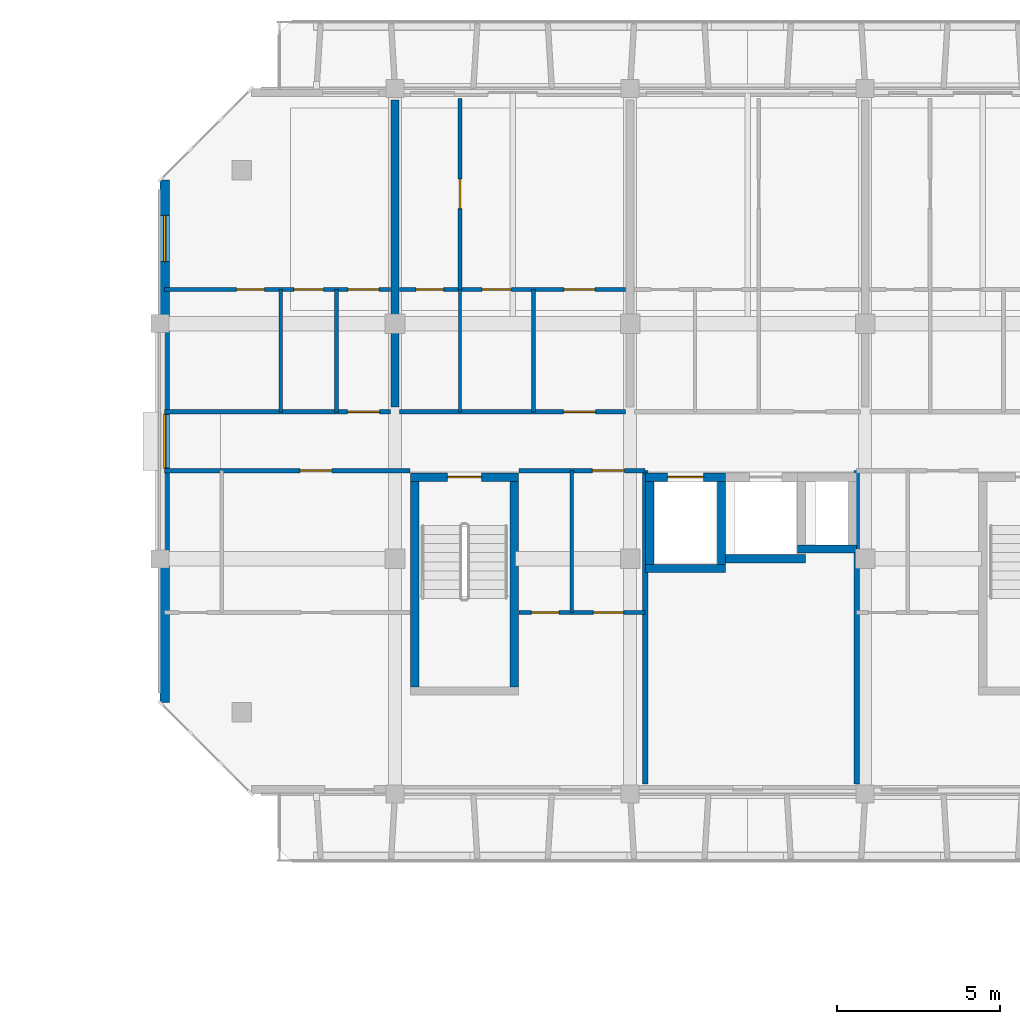
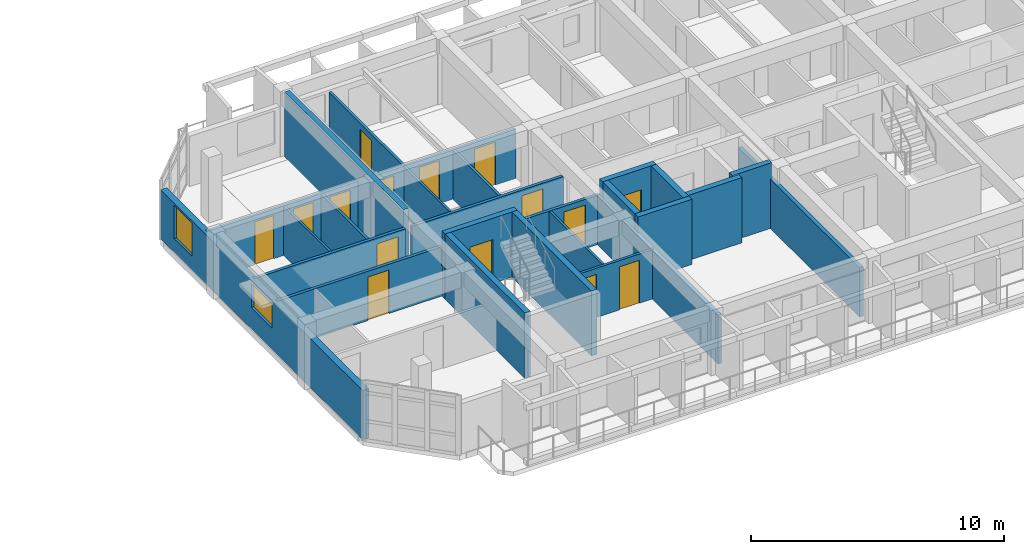
# One storey, part 25 of 43: 26 walls, 15 doors, 2 windows, 17 openings.
"""IFC4 building model written with IfcOpenShell, lengths in metres."""

from ifc_helpers import new_model, si_unit, direction, frame, frame_2d, origin, place, context, subcontext, project, spatial, rectangle, extrude, material, layer, layer_set, type_object, element, fill, save


model = new_model("IFC4")

# Units and contexts
model_context = context("Model", 3, precision=1e-05, world=origin(), true_north=direction((0.0, 1.0)))
body_context = subcontext(model_context, "Body", "Model", "MODEL_VIEW")
ifc_project = project(units=[si_unit("LENGTHUNIT", "METRE"), si_unit("AREAUNIT", "SQUARE_METRE"), si_unit("VOLUMEUNIT", "CUBIC_METRE"), si_unit("PLANEANGLEUNIT", "RADIAN"), si_unit("MASSUNIT", "GRAM", prefix="KILO")], contexts=[model_context])

# Site, building, storey
site_placement = place(None, origin())
site = spatial("IfcSite", under=ifc_project, at=site_placement, CompositionType="ELEMENT")
building_placement = place(site_placement, origin())
building = spatial("IfcBuilding", under=site, at=building_placement, Name="Ochrevale Crest", CompositionType="ELEMENT")
storey_placement = place(building_placement, frame((0.0, 0.0, 15.0)))
storey = spatial("IfcBuildingStorey", under=building, at=storey_placement, Name="L04", CompositionType="ELEMENT", Elevation=15.0)

# Wall, opening, door
ifc_material_1 = material(Name="Gypsum plasterboard", Category="gypsum")
ifc_layer_1 = layer(ifc_material_1, 0.139892578125)
ifc_layer_set_1 = layer_set([ifc_layer_1], Name="Gypsum plasterboard")
wall_type_1 = type_object("IfcWallType", Name="WL-COR-140", PredefinedType="PARTITIONING", material=ifc_layer_set_1)
wall_1_placement = place(storey_placement, frame((129.739990234375, 83.699951171875, 0.0), z_axis=(0.0, 0.0, 1.0), x_axis=(1.0, 0.0, 0.0)))
wall_1 = element("IfcWall", 1, at=wall_1_placement, inside=storey, type_object=wall_type_1, Name="Apartment D-L04-U1 corridor wall", PredefinedType="PARTITIONING", context=body_context, shape_type="SweptSolid", body=[
    extrude(rectangle(XDim=6.919921875, YDim=0.139892578125, at=frame_2d((3.4599609375, 0.0))), origin(), (0.0, 0.0, 1.0), 2.3798828125),
])
opening_1_placement = place(wall_1_placement, frame((5.60498046875, 0.0, 0.0)))
opening_1 = element("IfcOpeningElement", 2, at=opening_1_placement, cuts=wall_1, Name="Opening FD01", PredefinedType="OPENING", context=body_context, shape_type="SweptSolid", body=[
    extrude(rectangle(XDim=0.97998046875, YDim=2.10009765625, at=frame_2d((0.489990234375, 1.050048828125))), frame((0.0, 0.080078125, 0.0), z_axis=(0.0, -1.0, 0.0), x_axis=(1.0, 0.0, 0.0)), (0.0, 0.0, 1.0), 0.159912109375),
])
ifc_material_2 = material(Name="Solid-core FSC hardwood", Category="wood")
door_type_1 = type_object("IfcDoorType", Name="DR-APT-950", OperationType="NOTDEFINED", PredefinedType="DOOR", material=ifc_material_2)
door_1_placement = place(opening_1_placement, origin())
door_1 = element("IfcDoor", 3, at=door_1_placement, inside=storey, type_object=door_type_1, Name="Apartment D-L04-U1 entrance door", OperationType="SINGLE_SWING_LEFT", OverallHeight=2.10009765625, OverallWidth=0.97998046875, PredefinedType="DOOR", context=body_context, shape_type="SweptSolid", body=[
    extrude(rectangle(XDim=0.97998046875, YDim=2.10009765625, at=frame_2d((0.489990234375, 1.050048828125))), frame((0.0, 0.02490234375, 0.0), z_axis=(0.0, -1.0, 0.0), x_axis=(1.0, 0.0, 0.0)), (0.0, 0.0, 1.0), 0.050048828125),
])
fill(opening_1, door_1)

wall_2_placement = place(storey_placement, frame((136.93994140625, 83.699951171875, 0.0), z_axis=(0.0, 0.0, 1.0), x_axis=(1.0, 0.0, 0.0)))
wall_2 = element("IfcWall", 4, at=wall_2_placement, inside=storey, type_object=wall_type_1, Name="Apartment D-L04-U2 corridor wall", PredefinedType="PARTITIONING", context=body_context, shape_type="SweptSolid", body=[
    extrude(rectangle(XDim=6.920166015625, YDim=0.139892578125, at=frame_2d((3.4599609375, 0.0))), origin(), (0.0, 0.0, 1.0), 2.3798828125),
])
opening_2_placement = place(wall_2_placement, frame((5.02001953125, 0.0, 0.0)))
opening_2 = element("IfcOpeningElement", 5, at=opening_2_placement, cuts=wall_2, Name="Opening FD01", PredefinedType="OPENING", context=body_context, shape_type="SweptSolid", body=[
    extrude(rectangle(XDim=0.97998046875, YDim=2.10009765625, at=frame_2d((0.489990234375, 1.050048828125))), frame((0.0, 0.080078125, 0.0), z_axis=(0.0, -1.0, 0.0), x_axis=(1.0, 0.0, 0.0)), (0.0, 0.0, 1.0), 0.159912109375),
])
door_2_placement = place(opening_2_placement, origin())
door_2 = element("IfcDoor", 6, at=door_2_placement, inside=storey, type_object=door_type_1, Name="Apartment D-L04-U2 entrance door", OperationType="SINGLE_SWING_LEFT", OverallHeight=2.10009765625, OverallWidth=0.97998046875, PredefinedType="DOOR", context=body_context, shape_type="SweptSolid", body=[
    extrude(rectangle(XDim=0.97998046875, YDim=2.10009765625, at=frame_2d((0.489990234375, 1.050048828125))), frame((0.0, 0.02490234375, 0.0), z_axis=(0.0, -1.0, 0.0), x_axis=(1.0, 0.0, 0.0)), (0.0, 0.0, 1.0), 0.050048828125),
])
fill(opening_2, door_2)

wall_3_placement = place(storey_placement, frame((129.739990234375, 81.89990234375, 0.0), z_axis=(0.0, 0.0, 1.0), x_axis=(1.0, 0.0, 0.0)))
wall_3 = element("IfcWall", 7, at=wall_3_placement, inside=storey, type_object=wall_type_1, Name="Suite D-L04-CW corridor wall", PredefinedType="PARTITIONING", context=body_context, shape_type="SweptSolid", body=[
    extrude(rectangle(XDim=7.52001953125, YDim=0.139892578125, at=frame_2d((3.760009765625, 0.0))), origin(), (0.0, 0.0, 1.0), 2.3798828125),
])
opening_3_placement = place(wall_3_placement, frame((4.14501953125, 0.0, 0.0)))
opening_3 = element("IfcOpeningElement", 8, at=opening_3_placement, cuts=wall_3, Name="Opening FD01", PredefinedType="OPENING", context=body_context, shape_type="SweptSolid", body=[
    extrude(rectangle(XDim=0.97998046875, YDim=2.10009765625, at=frame_2d((0.489990234375, 1.050048828125))), frame((0.0, 0.080078125, 0.0), z_axis=(0.0, -1.0, 0.0), x_axis=(1.0, 0.0, 0.0)), (0.0, 0.0, 1.0), 0.159912109375),
])
door_3_placement = place(opening_3_placement, origin())
door_3 = element("IfcDoor", 9, at=door_3_placement, inside=storey, type_object=door_type_1, Name="Suite D-L04-CW entrance door", OperationType="SINGLE_SWING_LEFT", OverallHeight=2.10009765625, OverallWidth=0.97998046875, PredefinedType="DOOR", context=body_context, shape_type="SweptSolid", body=[
    extrude(rectangle(XDim=0.97998046875, YDim=2.10009765625, at=frame_2d((0.489990234375, 1.050048828125))), frame((0.0, 0.02490234375, 0.0), z_axis=(0.0, -1.0, 0.0), x_axis=(1.0, 0.0, 0.0)), (0.0, 0.0, 1.0), 0.050048828125),
])
fill(opening_3, door_3)

wall_4_placement = place(storey_placement, frame((140.590087890625, 81.89990234375, 0.0), z_axis=(0.0, 0.0, 1.0), x_axis=(1.0, 0.0, 0.0)))
wall_4 = element("IfcWall", 10, at=wall_4_placement, inside=storey, type_object=wall_type_1, Name="Suite D-L04-MW corridor wall", PredefinedType="PARTITIONING", context=body_context, shape_type="SweptSolid", body=[
    extrude(rectangle(XDim=3.869873046875, YDim=0.139892578125, at=frame_2d((1.93505859375, 0.0))), origin(), (0.0, 0.0, 1.0), 2.3798828125),
])
opening_4_placement = place(wall_4_placement, frame((3.23779296875, 0.0, 0.0), z_axis=(0.0, 0.0, 1.0), x_axis=(-1.0, 0.0, 0.0)))
opening_4 = element("IfcOpeningElement", 11, at=opening_4_placement, cuts=wall_4, Name="Opening FD01", PredefinedType="OPENING", context=body_context, shape_type="SweptSolid", body=[
    extrude(rectangle(XDim=0.97998046875, YDim=2.10009765625, at=frame_2d((0.489990234375, 1.050048828125))), frame((0.0, 0.080078125, 0.0), z_axis=(0.0, -1.0, 0.0), x_axis=(1.0, 0.0, 0.0)), (0.0, 0.0, 1.0), 0.159912109375),
])
door_4_placement = place(opening_4_placement, origin())
door_4 = element("IfcDoor", 12, at=door_4_placement, inside=storey, type_object=door_type_1, Name="Suite D-L04-MW entrance door", OperationType="SINGLE_SWING_RIGHT", OverallHeight=2.10009765625, OverallWidth=0.97998046875, PredefinedType="DOOR", context=body_context, shape_type="SweptSolid", body=[
    extrude(rectangle(XDim=0.97998046875, YDim=2.10009765625, at=frame_2d((0.489990234375, 1.050048828125))), frame((0.0, 0.02490234375, 0.0), z_axis=(0.0, -1.0, 0.0), x_axis=(1.0, 0.0, 0.0)), (0.0, 0.0, 1.0), 0.050048828125),
])
fill(opening_4, door_4)

ifc_material_3 = material(Name="Precast concrete C50/60", Category="concrete")
ifc_layer_2 = layer(ifc_material_3, 0.2548828125)
ifc_layer_set_2 = layer_set([ifc_layer_2], Name="Precast concrete C50/60")
wall_type_2 = type_object("IfcWallType", Name="WL-CORE-255", PredefinedType="SHEAR", material=ifc_layer_set_2)
wall_5_placement = place(storey_placement, frame((137.2724609375, 81.699951171875, 0.0), z_axis=(0.0, 0.0, 1.0), x_axis=(1.0, 0.0, 0.0)))
wall_5 = element("IfcWall", 13, at=wall_5_placement, inside=storey, type_object=wall_type_2, Name="Block D L04 Stair 1 precast core shear wall N", PredefinedType="SHEAR", context=body_context, shape_type="SweptSolid", body=[
    extrude(rectangle(XDim=3.304931640625, YDim=0.2548828125, at=frame_2d((1.65234375, 0.0))), origin(), (0.0, 0.0, 1.0), 3.14990234375),
])
opening_5_placement = place(wall_5_placement, frame((2.177490234375, 0.0, 0.0), z_axis=(0.0, 0.0, 1.0), x_axis=(-1.0, 0.0, 0.0)))
opening_5 = element("IfcOpeningElement", 14, at=opening_5_placement, cuts=wall_5, Name="Opening FD03", PredefinedType="OPENING", context=body_context, shape_type="SweptSolid", body=[
    extrude(rectangle(XDim=1.050048828125, YDim=2.1201171875, at=frame_2d((0.52490234375, 1.06005859375))), frame((0.0, 0.137451171875, 0.0), z_axis=(0.0, -1.0, 0.0), x_axis=(1.0, 0.0, 0.0)), (0.0, 0.0, 1.0), 0.27490234375),
])
door_type_2 = type_object("IfcDoorType", Name="DR-ST-1050", OperationType="NOTDEFINED", PredefinedType="DOOR", material=ifc_material_2)
door_5_placement = place(opening_5_placement, origin())
door_5 = element("IfcDoor", 15, at=door_5_placement, inside=storey, type_object=door_type_2, Name="Block D L04 fire stair 1 door", OperationType="SINGLE_SWING_RIGHT", OverallHeight=2.1201171875, OverallWidth=1.050048828125, PredefinedType="DOOR", context=body_context, shape_type="SweptSolid", body=[
    extrude(rectangle(XDim=1.050048828125, YDim=2.1201171875, at=frame_2d((0.52490234375, 1.06005859375))), frame((0.0, 0.02490234375, 0.0), z_axis=(0.0, -1.0, 0.0), x_axis=(1.0, 0.0, 0.0)), (0.0, 0.0, 1.0), 0.050048828125),
])
fill(opening_5, door_5)

# Walls
for number, where, z_axis, x_axis, name in (
    (16, (137.39990234375, 75.277587890625, 0.0), (0.0, 0.0, 1.0), (0.0, 1.0, 0.0), "Block D L04 Stair 1 precast core shear wall W"),
    (17, (140.449951171875, 75.277587890625, 0.0), (0.0, 0.0, 1.0), (0.0, 1.0, 0.0), "Block D L04 Stair 1 precast core shear wall E"),
):
    element("IfcWall", number, at=place(storey_placement, frame(where, z_axis=z_axis, x_axis=x_axis)), inside=storey, type_object=wall_type_2, Name=name, PredefinedType="SHEAR", context=body_context, shape_type="SweptSolid", body=[
        extrude(rectangle(XDim=6.294921875, YDim=0.2548828125, at=frame_2d((3.1474609375, 0.0))), origin(), (0.0, 0.0, 1.0), 3.14990234375),
    ])
wall_6_placement = place(storey_placement, frame((144.472412109375, 78.89990234375, 0.0), z_axis=(0.0, 0.0, 1.0), x_axis=(1.0, 0.0, 0.0)))
element("IfcWall", 18, at=wall_6_placement, inside=storey, type_object=wall_type_2, Name="Block D L04 Lift 1 precast shaft shear wall S", PredefinedType="SHEAR", context=body_context, shape_type="SweptSolid", body=[
    extrude(rectangle(XDim=2.455078125, YDim=0.2548828125, at=frame_2d((1.2275390625, 0.0))), origin(), (0.0, 0.0, 1.0), 3.14990234375),
])

# Wall, opening, door
wall_7_placement = place(storey_placement, frame((144.472412109375, 81.699951171875, 0.0), z_axis=(0.0, 0.0, 1.0), x_axis=(1.0, 0.0, 0.0)))
wall_7 = element("IfcWall", 19, at=wall_7_placement, inside=storey, type_object=wall_type_2, Name="Block D L04 Lift 1 precast shaft shear wall N", PredefinedType="SHEAR", context=body_context, shape_type="SweptSolid", body=[
    extrude(rectangle(XDim=2.455078125, YDim=0.2548828125, at=frame_2d((1.2275390625, 0.0))), origin(), (0.0, 0.0, 1.0), 3.14990234375),
])
opening_6_placement = place(wall_7_placement, frame((0.677490234375, 0.0, 0.0)))
opening_6 = element("IfcOpeningElement", 20, at=opening_6_placement, cuts=wall_7, Name="Opening LD01", PredefinedType="OPENING", context=body_context, shape_type="SweptSolid", body=[
    extrude(rectangle(XDim=1.10009765625, YDim=2.14990234375, at=frame_2d((0.550048828125, 1.074951171875))), frame((0.0, 0.137451171875, 0.0), z_axis=(0.0, -1.0, 0.0), x_axis=(1.0, 0.0, 0.0)), (0.0, 0.0, 1.0), 0.27490234375),
])
door_type_3 = type_object("IfcDoorType", Name="DR-LIFT-1100", OperationType="NOTDEFINED", PredefinedType="DOOR", material=ifc_material_2)
door_6_placement = place(opening_6_placement, origin())
door_6 = element("IfcDoor", 21, at=door_6_placement, inside=storey, type_object=door_type_3, Name="Lift LF-D1 L04 sliding landing door", OperationType="SLIDING_TO_LEFT", OverallHeight=2.14990234375, OverallWidth=1.10009765625, PredefinedType="DOOR", context=body_context, shape_type="SweptSolid", body=[
    extrude(rectangle(XDim=1.10009765625, YDim=2.14990234375, at=frame_2d((0.550048828125, 1.074951171875))), frame((0.0, 0.02490234375, 0.0), z_axis=(0.0, -1.0, 0.0), x_axis=(1.0, 0.0, 0.0)), (0.0, 0.0, 1.0), 0.050048828125),
])
fill(opening_6, door_6)

# Walls
for number, where, z_axis, x_axis, name in (
    (22, (144.60009765625, 79.027587890625, 0.0), (0.0, 0.0, 1.0), (0.0, 1.0, 0.0), "Block D L04 Lift 1 precast shaft shear wall W"),
    (23, (146.800048828125, 79.027587890625, 0.0), (0.0, 0.0, 1.0), (0.0, 1.0, 0.0), "Block D L04 Lift 1 precast shaft shear wall E"),
):
    element("IfcWall", number, at=place(storey_placement, frame(where, z_axis=z_axis, x_axis=x_axis)), inside=storey, type_object=wall_type_2, Name=name, PredefinedType="SHEAR", context=body_context, shape_type="SweptSolid", body=[
        extrude(rectangle(XDim=2.544921875, YDim=0.2548828125, at=frame_2d((1.2724609375, 0.0))), origin(), (0.0, 0.0, 1.0), 3.14990234375),
    ])
wall_8_placement = place(storey_placement, frame((146.922607421875, 79.199951171875, 0.0), z_axis=(0.0, 0.0, 1.0), x_axis=(1.0, 0.0, 0.0)))
element("IfcWall", 24, at=wall_8_placement, inside=storey, type_object=wall_type_2, Name="Block D L04 Lift 2 precast shaft shear wall S", PredefinedType="SHEAR", context=body_context, shape_type="SweptSolid", body=[
    extrude(rectangle(XDim=2.454833984375, YDim=0.2548828125, at=frame_2d((1.2275390625, 0.0))), origin(), (0.0, 0.0, 1.0), 3.14990234375),
])
wall_9_placement = place(storey_placement, frame((149.12255859375, 79.5, 0.0), z_axis=(0.0, 0.0, 1.0), x_axis=(1.0, 0.0, 0.0)))
element("IfcWall", 25, at=wall_9_placement, inside=storey, type_object=wall_type_2, Name="Block D L04 services riser shaft core wall S", PredefinedType="SHEAR", context=body_context, shape_type="SweptSolid", body=[
    extrude(rectangle(XDim=1.804931640625, YDim=0.2548828125, at=frame_2d((0.90234375, 0.0))), origin(), (0.0, 0.0, 1.0), 3.14990234375),
])

# Wall, openings, windows
ifc_material_4 = material(Name="Clay face brickwork", Category="masonry")
ifc_layer_3 = layer(ifc_material_4, 0.2900390625)
ifc_layer_set_3 = layer_set([ifc_layer_3], Name="Clay face brickwork")
wall_type_3 = type_object("IfcWallType", Name="WL-EXT-BRICK-290", PredefinedType="SOLIDWALL", material=ifc_layer_set_3)
wall_10_placement = place(storey_placement, frame((129.7451171875, 90.800048828125, 0.0), z_axis=(0.0, 0.0, 1.0), x_axis=(0.0, -1.0, 0.0)))
wall_10 = element("IfcWall", 26, at=wall_10_placement, inside=storey, type_object=wall_type_3, Name="Block D L04 external facade wall E7", PredefinedType="SOLIDWALL", context=body_context, shape_type="SweptSolid", body=[
    extrude(rectangle(XDim=16.0, YDim=0.2900390625, at=frame_2d((8.0, 0.0))), origin(), (0.0, 0.0, 1.0), 2.3798828125),
])
opening_7_placement = place(wall_10_placement, frame((7.175048828125, 0.0, 1.050048828125)))
opening_7 = element("IfcOpeningElement", 27, at=opening_7_placement, cuts=wall_10, Name="Opening W19", PredefinedType="OPENING", context=body_context, shape_type="SweptSolid", body=[
    extrude(rectangle(XDim=1.64990234375, YDim=1.14990234375, at=frame_2d((0.824951171875, 0.574951171875))), frame((0.0, 0.155029296875, 0.0), z_axis=(0.0, -1.0, 0.0), x_axis=(1.0, 0.0, 0.0)), (0.0, 0.0, 1.0), 0.31005859375),
])
opening_8_placement = place(wall_10_placement, frame((1.080078125, 0.0, 0.669921875)))
opening_8 = element("IfcOpeningElement", 28, at=opening_8_placement, cuts=wall_10, Name="Opening W31", PredefinedType="OPENING", context=body_context, shape_type="SweptSolid", body=[
    extrude(rectangle(XDim=1.419921875, YDim=1.60009765625, at=frame_2d((0.7099609375, 0.800048828125))), frame((0.0, 0.155029296875, 0.0), z_axis=(0.0, -1.0, 0.0), x_axis=(1.0, 0.0, 0.0)), (0.0, 0.0, 1.0), 0.31005859375),
])
ifc_material_5 = material(Name="Anodised aluminium 6063-T5 and low-E double glazing", Category="aluminium")
window_type_1 = type_object("IfcWindowType", Name="WIN-W19", PartitioningType="SINGLE_PANEL", PredefinedType="WINDOW", material=ifc_material_5)
window_1_placement = place(opening_7_placement, origin())
window_1 = element("IfcWindow", 29, at=window_1_placement, inside=storey, type_object=window_type_1, Name="Block D L04 corridor end daylight window W", OverallHeight=1.14990234375, OverallWidth=1.64990234375, PartitioningType="SINGLE_PANEL", PredefinedType="WINDOW", context=body_context, shape_type="SweptSolid", body=[
    extrude(rectangle(XDim=1.64990234375, YDim=1.14990234375, at=frame_2d((0.824951171875, 0.574951171875))), frame((0.0, 0.030029296875, 0.0), z_axis=(0.0, -1.0, 0.0), x_axis=(1.0, 0.0, 0.0)), (0.0, 0.0, 1.0), 0.06005859375),
])
fill(opening_7, window_1)
window_type_2 = type_object("IfcWindowType", Name="WIN-W31", PartitioningType="SINGLE_PANEL", PredefinedType="WINDOW", material=ifc_material_5)
window_2_placement = place(opening_8_placement, origin())
window_2 = element("IfcWindow", 30, at=window_2_placement, inside=storey, type_object=window_type_2, Name="Block D L04 side suite window W", OverallHeight=1.60009765625, OverallWidth=1.419921875, PartitioningType="SINGLE_PANEL", PredefinedType="WINDOW", context=body_context, shape_type="SweptSolid", body=[
    extrude(rectangle(XDim=1.419921875, YDim=1.60009765625, at=frame_2d((0.7099609375, 0.800048828125))), frame((0.0, 0.030029296875, 0.0), z_axis=(0.0, -1.0, 0.0), x_axis=(1.0, 0.0, 0.0)), (0.0, 0.0, 1.0), 0.06005859375),
])
fill(opening_8, window_2)

# Wall
ifc_layer_4 = layer(ifc_material_1, 0.1201171875)
ifc_layer_set_4 = layer_set([ifc_layer_4], Name="Gypsum plasterboard")
wall_type_4 = type_object("IfcWallType", Name="WL-PART-120", PredefinedType="PARTITIONING", material=ifc_layer_set_4)
wall_11_placement = place(storey_placement, frame((135.010009765625, 83.699951171875, 0.0), z_axis=(0.0, 0.0, 1.0), x_axis=(0.0, 1.0, 0.0)))
element("IfcWall", 31, at=wall_11_placement, inside=storey, type_object=wall_type_4, Name="Apartment D-L04-U1 kitchen-foyer wall", PredefinedType="PARTITIONING", context=body_context, shape_type="SweptSolid", body=[
    extrude(rectangle(XDim=3.75, YDim=0.1201171875, at=frame_2d((1.875, 0.0))), origin(), (0.0, 0.0, 1.0), 2.375),
])

# Wall, openings, doors
wall_12_placement = place(storey_placement, frame((129.739990234375, 87.449951171875, 0.0), z_axis=(0.0, 0.0, 1.0), x_axis=(1.0, 0.0, 0.0)))
wall_12 = element("IfcWall", 32, at=wall_12_placement, inside=storey, type_object=wall_type_4, Name="Apartment D-L04-U1 central partition", PredefinedType="PARTITIONING", context=body_context, shape_type="SweptSolid", body=[
    extrude(rectangle(XDim=6.919921875, YDim=0.1201171875, at=frame_2d((3.4599609375, 0.0))), origin(), (0.0, 0.0, 1.0), 2.3798828125),
])
opening_9_placement = place(wall_12_placement, frame((3.06005859375, 0.0, 0.0), z_axis=(0.0, 0.0, 1.0), x_axis=(-1.0, 0.0, 0.0)))
opening_9 = element("IfcOpeningElement", 33, at=opening_9_placement, cuts=wall_12, Name="Opening ID01", PredefinedType="OPENING", context=body_context, shape_type="SweptSolid", body=[
    extrude(rectangle(XDim=0.85009765625, YDim=2.080078125, at=frame_2d((0.425048828125, 1.0400390625))), frame((0.0, 0.070068359375, 0.0), z_axis=(0.0, -1.0, 0.0), x_axis=(1.0, 0.0, 0.0)), (0.0, 0.0, 1.0), 0.14013671875),
])
opening_10_placement = place(wall_12_placement, frame((3.965087890625, 0.0, 0.0)))
opening_10 = element("IfcOpeningElement", 34, at=opening_10_placement, cuts=wall_12, Name="Opening ID02", PredefinedType="OPENING", context=body_context, shape_type="SweptSolid", body=[
    extrude(rectangle(XDim=0.89990234375, YDim=2.080078125, at=frame_2d((0.449951171875, 1.0400390625))), frame((0.0, 0.070068359375, 0.0), z_axis=(0.0, -1.0, 0.0), x_axis=(1.0, 0.0, 0.0)), (0.0, 0.0, 1.0), 0.14013671875),
])
opening_11_placement = place(wall_12_placement, frame((6.570068359375, 0.0, 0.0), z_axis=(0.0, 0.0, 1.0), x_axis=(-1.0, 0.0, 0.0)))
opening_11 = element("IfcOpeningElement", 35, at=opening_11_placement, cuts=wall_12, Name="Opening ID06", PredefinedType="OPENING", context=body_context, shape_type="SweptSolid", body=[
    extrude(rectangle(XDim=0.949951171875, YDim=2.080078125, at=frame_2d((0.47509765625, 1.0400390625))), frame((0.0, 0.070068359375, 0.0), z_axis=(0.0, -1.0, 0.0), x_axis=(1.0, 0.0, 0.0)), (0.0, 0.0, 1.0), 0.14013671875),
])
door_type_4 = type_object("IfcDoorType", Name="DR-INT-900", OperationType="NOTDEFINED", PredefinedType="DOOR", material=ifc_material_2)
door_7_placement = place(opening_10_placement, origin())
door_7 = element("IfcDoor", 36, at=door_7_placement, inside=storey, type_object=door_type_4, Name="Apartment D-L04-U1 Kitchen door", OperationType="SINGLE_SWING_LEFT", OverallHeight=2.080078125, OverallWidth=0.89990234375, PredefinedType="DOOR", context=body_context, shape_type="SweptSolid", body=[
    extrude(rectangle(XDim=0.89990234375, YDim=2.080078125, at=frame_2d((0.449951171875, 1.0400390625))), frame((0.0, 0.02490234375, 0.0), z_axis=(0.0, -1.0, 0.0), x_axis=(1.0, 0.0, 0.0)), (0.0, 0.0, 1.0), 0.050048828125),
])
fill(opening_10, door_7)
door_type_5 = type_object("IfcDoorType", Name="DR-INT-950", OperationType="NOTDEFINED", PredefinedType="DOOR", material=ifc_material_2)
door_8_placement = place(opening_11_placement, origin())
door_8 = element("IfcDoor", 37, at=door_8_placement, inside=storey, type_object=door_type_5, Name="Apartment D-L04-U1 Living Foyer door", OperationType="SINGLE_SWING_RIGHT", OverallHeight=2.080078125, OverallWidth=0.949951171875, PredefinedType="DOOR", context=body_context, shape_type="SweptSolid", body=[
    extrude(rectangle(XDim=0.949951171875, YDim=2.080078125, at=frame_2d((0.47509765625, 1.0400390625))), frame((0.0, 0.02490234375, 0.0), z_axis=(0.0, -1.0, 0.0), x_axis=(1.0, 0.0, 0.0)), (0.0, 0.0, 1.0), 0.050048828125),
])
fill(opening_11, door_8)
door_type_6 = type_object("IfcDoorType", Name="DR-WC-850", OperationType="NOTDEFINED", PredefinedType="DOOR", material=ifc_material_2)
door_9_placement = place(opening_9_placement, origin())
door_9 = element("IfcDoor", 38, at=door_9_placement, inside=storey, type_object=door_type_6, Name="Apartment D-L04-U1 Bathroom door", OperationType="SINGLE_SWING_RIGHT", OverallHeight=2.080078125, OverallWidth=0.85009765625, PredefinedType="DOOR", context=body_context, shape_type="SweptSolid", body=[
    extrude(rectangle(XDim=0.85009765625, YDim=2.080078125, at=frame_2d((0.425048828125, 1.0400390625))), frame((0.0, 0.02490234375, 0.0), z_axis=(0.0, -1.0, 0.0), x_axis=(1.0, 0.0, 0.0)), (0.0, 0.0, 1.0), 0.050048828125),
])
fill(opening_9, door_9)

# Wall
wall_13_placement = place(storey_placement, frame((141.0400390625, 83.699951171875, 0.0), z_axis=(0.0, 0.0, 1.0), x_axis=(0.0, 1.0, 0.0)))
element("IfcWall", 39, at=wall_13_placement, inside=storey, type_object=wall_type_4, Name="Apartment D-L04-U2 kitchen-foyer wall", PredefinedType="PARTITIONING", context=body_context, shape_type="SweptSolid", body=[
    extrude(rectangle(XDim=3.75, YDim=0.1201171875, at=frame_2d((1.875, 0.0))), origin(), (0.0, 0.0, 1.0), 2.375),
])

# Wall, openings, doors
wall_14_placement = place(storey_placement, frame((136.93994140625, 87.449951171875, 0.0), z_axis=(0.0, 0.0, 1.0), x_axis=(1.0, 0.0, 0.0)))
wall_14 = element("IfcWall", 40, at=wall_14_placement, inside=storey, type_object=wall_type_4, Name="Apartment D-L04-U2 central partition", PredefinedType="PARTITIONING", context=body_context, shape_type="SweptSolid", body=[
    extrude(rectangle(XDim=6.920166015625, YDim=0.1201171875, at=frame_2d((3.4599609375, 0.0))), origin(), (0.0, 0.0, 1.0), 2.3798828125),
])
opening_12_placement = place(wall_14_placement, frame((1.35009765625, 0.0, 0.0), z_axis=(0.0, 0.0, 1.0), x_axis=(-1.0, 0.0, 0.0)))
opening_12 = element("IfcOpeningElement", 41, at=opening_12_placement, cuts=wall_14, Name="Opening ID01", PredefinedType="OPENING", context=body_context, shape_type="SweptSolid", body=[
    extrude(rectangle(XDim=0.85009765625, YDim=2.080078125, at=frame_2d((0.425048828125, 1.0400390625))), frame((0.0, 0.070068359375, 0.0), z_axis=(0.0, -1.0, 0.0), x_axis=(1.0, 0.0, 0.0)), (0.0, 0.0, 1.0), 0.14013671875),
])
opening_13_placement = place(wall_14_placement, frame((2.52490234375, 0.0, 0.0)))
opening_13 = element("IfcOpeningElement", 42, at=opening_13_placement, cuts=wall_14, Name="Opening ID02", PredefinedType="OPENING", context=body_context, shape_type="SweptSolid", body=[
    extrude(rectangle(XDim=0.89990234375, YDim=2.080078125, at=frame_2d((0.449951171875, 1.0400390625))), frame((0.0, 0.070068359375, 0.0), z_axis=(0.0, -1.0, 0.0), x_axis=(1.0, 0.0, 0.0)), (0.0, 0.0, 1.0), 0.14013671875),
])
opening_14_placement = place(wall_14_placement, frame((5.98486328125, 0.0, 0.0), z_axis=(0.0, 0.0, 1.0), x_axis=(-1.0, 0.0, 0.0)))
opening_14 = element("IfcOpeningElement", 43, at=opening_14_placement, cuts=wall_14, Name="Opening ID06", PredefinedType="OPENING", context=body_context, shape_type="SweptSolid", body=[
    extrude(rectangle(XDim=0.949951171875, YDim=2.080078125, at=frame_2d((0.47509765625, 1.0400390625))), frame((0.0, 0.070068359375, 0.0), z_axis=(0.0, -1.0, 0.0), x_axis=(1.0, 0.0, 0.0)), (0.0, 0.0, 1.0), 0.14013671875),
])
door_10_placement = place(opening_13_placement, origin())
door_10 = element("IfcDoor", 44, at=door_10_placement, inside=storey, type_object=door_type_4, Name="Apartment D-L04-U2 Kitchen door", OperationType="SINGLE_SWING_LEFT", OverallHeight=2.080078125, OverallWidth=0.89990234375, PredefinedType="DOOR", context=body_context, shape_type="SweptSolid", body=[
    extrude(rectangle(XDim=0.89990234375, YDim=2.080078125, at=frame_2d((0.449951171875, 1.0400390625))), frame((0.0, 0.02490234375, 0.0), z_axis=(0.0, -1.0, 0.0), x_axis=(1.0, 0.0, 0.0)), (0.0, 0.0, 1.0), 0.050048828125),
])
fill(opening_13, door_10)
door_11_placement = place(opening_14_placement, origin())
door_11 = element("IfcDoor", 45, at=door_11_placement, inside=storey, type_object=door_type_5, Name="Apartment D-L04-U2 Living Foyer door", OperationType="SINGLE_SWING_RIGHT", OverallHeight=2.080078125, OverallWidth=0.949951171875, PredefinedType="DOOR", context=body_context, shape_type="SweptSolid", body=[
    extrude(rectangle(XDim=0.949951171875, YDim=2.080078125, at=frame_2d((0.47509765625, 1.0400390625))), frame((0.0, 0.02490234375, 0.0), z_axis=(0.0, -1.0, 0.0), x_axis=(1.0, 0.0, 0.0)), (0.0, 0.0, 1.0), 0.050048828125),
])
fill(opening_14, door_11)
door_12_placement = place(opening_12_placement, origin())
door_12 = element("IfcDoor", 46, at=door_12_placement, inside=storey, type_object=door_type_6, Name="Apartment D-L04-U2 Bathroom door", OperationType="SINGLE_SWING_RIGHT", OverallHeight=2.080078125, OverallWidth=0.85009765625, PredefinedType="DOOR", context=body_context, shape_type="SweptSolid", body=[
    extrude(rectangle(XDim=0.85009765625, YDim=2.080078125, at=frame_2d((0.425048828125, 1.0400390625))), frame((0.0, 0.02490234375, 0.0), z_axis=(0.0, -1.0, 0.0), x_axis=(1.0, 0.0, 0.0)), (0.0, 0.0, 1.0), 0.050048828125),
])
fill(opening_12, door_12)

# Wall, opening, door
wall_15_placement = place(storey_placement, frame((138.7900390625, 87.449951171875, 0.0), z_axis=(0.0, 0.0, 1.0), x_axis=(0.0, 1.0, 0.0)))
wall_15 = element("IfcWall", 47, at=wall_15_placement, inside=storey, type_object=wall_type_4, Name="Apartment D-L04-U2 bedroom partition", PredefinedType="PARTITIONING", context=body_context, shape_type="SweptSolid", body=[
    extrude(rectangle(XDim=5.85009765625, YDim=0.1201171875, at=frame_2d((2.925048828125, 0.0))), origin(), (0.0, 0.0, 1.0), 2.3798828125),
])
opening_15_placement = place(wall_15_placement, frame((2.47509765625, 0.0, 0.0)))
opening_15 = element("IfcOpeningElement", 48, at=opening_15_placement, cuts=wall_15, Name="Opening ID02", PredefinedType="OPENING", context=body_context, shape_type="SweptSolid", body=[
    extrude(rectangle(XDim=0.89990234375, YDim=2.080078125, at=frame_2d((0.449951171875, 1.0400390625))), frame((0.0, 0.070068359375, 0.0), z_axis=(0.0, -1.0, 0.0), x_axis=(1.0, 0.0, 0.0)), (0.0, 0.0, 1.0), 0.14013671875),
])
door_13_placement = place(opening_15_placement, origin())
door_13 = element("IfcDoor", 49, at=door_13_placement, inside=storey, type_object=door_type_4, Name="Apartment D-L04-U2 Double Bedroom door", OperationType="SINGLE_SWING_LEFT", OverallHeight=2.080078125, OverallWidth=0.89990234375, PredefinedType="DOOR", context=body_context, shape_type="SweptSolid", body=[
    extrude(rectangle(XDim=0.89990234375, YDim=2.080078125, at=frame_2d((0.449951171875, 1.0400390625))), frame((0.0, 0.02490234375, 0.0), z_axis=(0.0, -1.0, 0.0), x_axis=(1.0, 0.0, 0.0)), (0.0, 0.0, 1.0), 0.050048828125),
])
fill(opening_15, door_13)

# Wall, openings, doors
wall_16_placement = place(storey_placement, frame((140.590087890625, 77.550048828125, 0.0), z_axis=(0.0, 0.0, 1.0), x_axis=(1.0, 0.0, 0.0)))
wall_16 = element("IfcWall", 50, at=wall_16_placement, inside=storey, type_object=wall_type_4, Name="Suite D-L04-MW internal wall", PredefinedType="PARTITIONING", context=body_context, shape_type="SweptSolid", body=[
    extrude(rectangle(XDim=3.869873046875, YDim=0.1201171875, at=frame_2d((1.93505859375, 0.0))), origin(), (0.0, 0.0, 1.0), 2.3798828125),
])
opening_16_placement = place(wall_16_placement, frame((0.3876953125, 0.0, 0.0)))
opening_16 = element("IfcOpeningElement", 51, at=opening_16_placement, cuts=wall_16, Name="Opening ID01", PredefinedType="OPENING", context=body_context, shape_type="SweptSolid", body=[
    extrude(rectangle(XDim=0.85009765625, YDim=2.080078125, at=frame_2d((0.425048828125, 1.0400390625))), frame((0.0, 0.070068359375, 0.0), z_axis=(0.0, -1.0, 0.0), x_axis=(1.0, 0.0, 0.0)), (0.0, 0.0, 1.0), 0.14013671875),
])
opening_17_placement = place(wall_16_placement, frame((3.20751953125, 0.0, 0.0), z_axis=(0.0, 0.0, 1.0), x_axis=(-1.0, 0.0, 0.0)))
opening_17 = element("IfcOpeningElement", 52, at=opening_17_placement, cuts=wall_16, Name="Opening ID04", PredefinedType="OPENING", context=body_context, shape_type="SweptSolid", body=[
    extrude(rectangle(XDim=0.919921875, YDim=2.080078125, at=frame_2d((0.4599609375, 1.0400390625))), frame((0.0, 0.070068359375, 0.0), z_axis=(0.0, -1.0, 0.0), x_axis=(1.0, 0.0, 0.0)), (0.0, 0.0, 1.0), 0.14013671875),
])
door_type_7 = type_object("IfcDoorType", Name="DR-INT-920", OperationType="NOTDEFINED", PredefinedType="DOOR", material=ifc_material_2)
door_14_placement = place(opening_17_placement, origin())
door_14 = element("IfcDoor", 53, at=door_14_placement, inside=storey, type_object=door_type_7, Name="Suite D-L04-MW Courtyard Studio Living door", OperationType="SINGLE_SWING_RIGHT", OverallHeight=2.080078125, OverallWidth=0.919921875, PredefinedType="DOOR", context=body_context, shape_type="SweptSolid", body=[
    extrude(rectangle(XDim=0.919921875, YDim=2.080078125, at=frame_2d((0.4599609375, 1.0400390625))), frame((0.0, 0.02490234375, 0.0), z_axis=(0.0, -1.0, 0.0), x_axis=(1.0, 0.0, 0.0)), (0.0, 0.0, 1.0), 0.050048828125),
])
fill(opening_17, door_14)
door_15_placement = place(opening_16_placement, origin())
door_15 = element("IfcDoor", 54, at=door_15_placement, inside=storey, type_object=door_type_6, Name="Suite D-L04-MW Bathroom door", OperationType="SINGLE_SWING_LEFT", OverallHeight=2.080078125, OverallWidth=0.85009765625, PredefinedType="DOOR", context=body_context, shape_type="SweptSolid", body=[
    extrude(rectangle(XDim=0.85009765625, YDim=2.080078125, at=frame_2d((0.425048828125, 1.0400390625))), frame((0.0, 0.02490234375, 0.0), z_axis=(0.0, -1.0, 0.0), x_axis=(1.0, 0.0, 0.0)), (0.0, 0.0, 1.0), 0.050048828125),
])
fill(opening_16, door_15)

# Walls
ifc_layer_5 = layer(ifc_material_3, 0.239990234375)
ifc_layer_set_5 = layer_set([ifc_layer_5], Name="Precast concrete C50/60")
wall_type_5 = type_object("IfcWallType", Name="WL-SHEAR-240", PredefinedType="SHEAR", material=ifc_layer_set_5)
wall_17_placement = place(storey_placement, frame((136.800048828125, 83.85009765625, 0.0), z_axis=(0.0, 0.0, 1.0), x_axis=(0.0, 1.0, 0.0)))
element("IfcWall", 55, at=wall_17_placement, inside=storey, type_object=wall_type_5, Name="Block D L04 load-bearing precast cross-wall X=136.8", PredefinedType="SHEAR", context=body_context, shape_type="SweptSolid", body=[
    extrude(rectangle(XDim=9.39990234375, YDim=0.239990234375, at=frame_2d((4.699951171875, 0.0))), origin(), (0.0, 0.0, 1.0), 3.14990234375),
])
ifc_layer_6 = layer(ifc_material_1, 0.169921875)
ifc_layer_set_6 = layer_set([ifc_layer_6], Name="Gypsum plasterboard")
wall_type_6 = type_object("IfcWallType", Name="WL-TEN-170", PredefinedType="PARTITIONING", material=ifc_layer_set_6)
for number, where, z_axis, x_axis, name in (
    (56, (144.4599609375, 72.300048828125, 0.0), (0.0, 0.0, 1.0), (0.0, 1.0, 0.0), "Suite D-L04-MW east party wall"),
    (57, (150.93994140625, 72.300048828125, 0.0), (0.0, 0.0, 1.0), (0.0, 1.0, 0.0), "Suite D-L04-ME west party wall"),
):
    element("IfcWall", number, at=place(storey_placement, frame(where, z_axis=z_axis, x_axis=x_axis)), inside=storey, type_object=wall_type_6, Name=name, PredefinedType="PARTITIONING", context=body_context, shape_type="SweptSolid", body=[
        extrude(rectangle(XDim=9.599853515625, YDim=0.169921875, at=frame_2d((4.7998046875, 0.0))), origin(), (0.0, 0.0, 1.0), 2.3798828125),
    ])
ifc_layer_7 = layer(ifc_material_1, 0.10009765625)
ifc_layer_set_7 = layer_set([ifc_layer_7], Name="Gypsum plasterboard")
wall_type_7 = type_object("IfcWallType", Name="WL-WET-100", PredefinedType="PARTITIONING", material=ifc_layer_set_7)
for number, where, z_axis, x_axis, name in (
    (58, (133.300048828125, 83.699951171875, 0.0), (0.0, 0.0, 1.0), (0.0, 1.0, 0.0), "Apartment D-L04-U1 bath-kitchen wall"),
    (59, (138.7900390625, 83.699951171875, 0.0), (0.0, 0.0, 1.0), (0.0, 1.0, 0.0), "Apartment D-L04-U2 bath-kitchen wall"),
):
    element("IfcWall", number, at=place(storey_placement, frame(where, z_axis=z_axis, x_axis=x_axis)), inside=storey, type_object=wall_type_7, Name=name, PredefinedType="PARTITIONING", context=body_context, shape_type="SweptSolid", body=[
        extrude(rectangle(XDim=3.75, YDim=0.10009765625, at=frame_2d((1.875, 0.0))), origin(), (0.0, 0.0, 1.0), 2.375),
    ])
wall_18_placement = place(storey_placement, frame((142.21533203125, 77.550048828125, 0.0), z_axis=(0.0, 0.0, 1.0), x_axis=(0.0, 1.0, 0.0)))
element("IfcWall", 60, at=wall_18_placement, inside=storey, type_object=wall_type_7, Name="Suite D-L04-MW bathroom divider", PredefinedType="PARTITIONING", context=body_context, shape_type="SweptSolid", body=[
    extrude(rectangle(XDim=4.349853515625, YDim=0.10009765625, at=frame_2d((2.1748046875, 0.0))), origin(), (0.0, 0.0, 1.0), 2.375),
])

save(model, "model.ifc")
